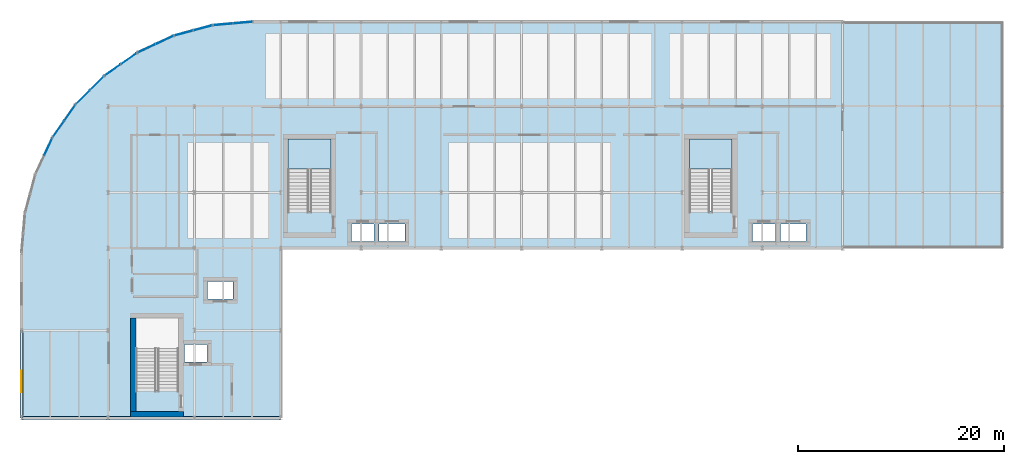
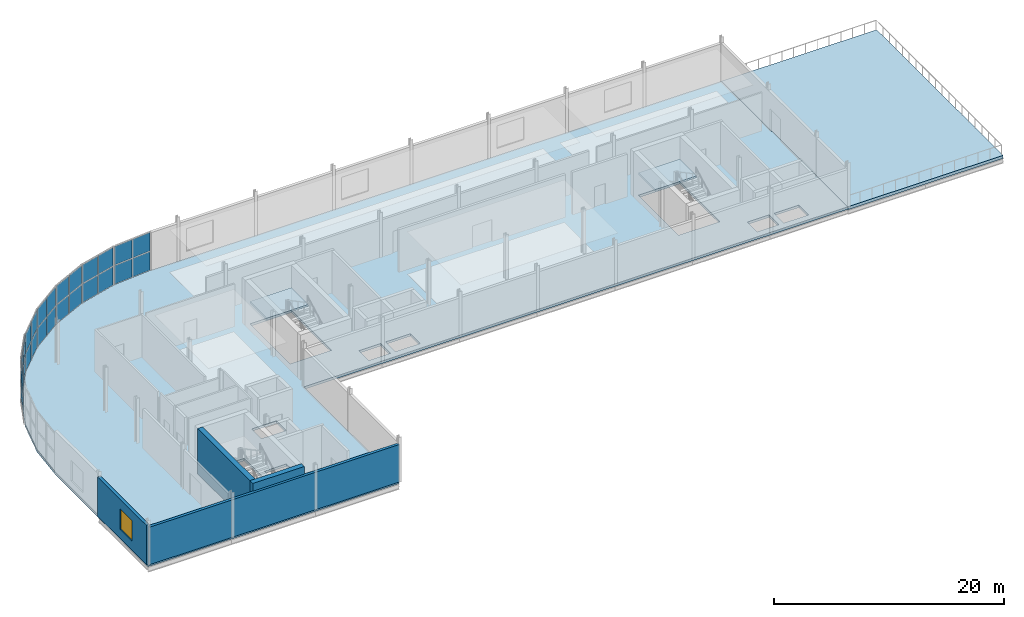
# One storey, part 9 of 15: 26 plates, 4 slabs, 4 walls, 1 window, 1 opening, 9 elements without a shape of their own.
"""IFC4 building model written with IfcOpenShell, lengths in metres."""

from ifc_helpers import new_model, si_unit, direction, frame, frame_2d, origin, origin_2d, place, context, subcontext, project, spatial, polyline, rectangle, outline, extrude, material, layer, layer_set, type_object, element, fill, aggregate, save


model = new_model("IFC4")

# Units and contexts
model_context = context("Model", 3, precision=1e-05, world=origin(), true_north=direction((0.0, 1.0)))
body_context = subcontext(model_context, "Body", "Model", "MODEL_VIEW")
ifc_project = project(units=[si_unit("LENGTHUNIT", "METRE"), si_unit("AREAUNIT", "SQUARE_METRE"), si_unit("VOLUMEUNIT", "CUBIC_METRE"), si_unit("PLANEANGLEUNIT", "RADIAN"), si_unit("MASSUNIT", "GRAM", prefix="KILO")], contexts=[model_context])

# Site, building, storey
site_placement = place(None, origin())
site = spatial("IfcSite", under=ifc_project, at=site_placement, CompositionType="ELEMENT")
building_placement = place(site_placement, origin())
building = spatial("IfcBuilding", under=site, at=building_placement, Name="Sefraquen Railside Congress Hotel", CompositionType="ELEMENT")
storey_placement = place(building_placement, frame((0.0, 0.0, 46.800048828125)))
storey = spatial("IfcBuildingStorey", under=building, at=storey_placement, Name="L11", CompositionType="ELEMENT", Elevation=46.800048828125)

# Curtain wall, plates
ifc_material_1 = material(Name="Thermally broken anodised aluminium and low-E double glazing", Category="aluminium")
ifc_layer_1 = layer(ifc_material_1, 0.199951171875)
ifc_layer_set_1 = layer_set([ifc_layer_1], Name="Thermally broken anodised aluminium and low-E double glazing")
curtain_wall_type_1 = type_object("IfcCurtainWallType", Name="TCW-UCW-04", PredefinedType="USERDEFINED", material=ifc_layer_set_1)
curtain_wall_1_placement = place(storey_placement, origin())
curtain_wall_1 = element("IfcCurtainWall", 1, at=curtain_wall_1_placement, inside=storey, type_object=curtain_wall_type_1, Name="Rotunda L11 curved curtain wall facet 1", ObjectType="UNITISED CURTAIN WALL", PredefinedType="USERDEFINED")
ifc_material_2 = material(Name="Solar-control low-E double glazing", Category="glass")
ifc_layer_2 = layer(ifc_material_2, 0.02392578125)
ifc_layer_set_2 = layer_set([ifc_layer_2], Name="Solar-control low-E double glazing")
plate_type_1 = type_object("IfcPlateType", Name="TP-CWP-01", PredefinedType="CURTAIN_PANEL", material=ifc_layer_set_2)
plate_1_placement = place(storey_placement, frame((21.50341796875, 117.912841796875, 0.0400390625), z_axis=(0.0, 0.0, 1.0), x_axis=(-0.996196219095, -0.087138355857, 0.0)))
plate_1 = element("IfcPlate", 2, at=plate_1_placement, type_object=plate_type_1, Name="CW-L11-ROT-01 panel 1.1", PredefinedType="CURTAIN_PANEL", context=body_context, shape_type="SweptSolid", body=[
    extrude(rectangle(XDim=1.8310546875, YDim=0.02392578125, at=origin_2d()), origin(), (0.0, 0.0, 1.0), 1.965087890625),
])
plate_2_placement = place(storey_placement, frame((19.589599609375, 117.745361328125, 0.0400390625), z_axis=(0.0, 0.0, 1.0), x_axis=(-0.996196219095, -0.087138355857, 0.0)))
plate_2 = element("IfcPlate", 3, at=plate_2_placement, type_object=plate_type_1, Name="CW-L11-ROT-01 panel 1.2", PredefinedType="CURTAIN_PANEL", context=body_context, shape_type="SweptSolid", body=[
    extrude(rectangle(XDim=1.8310546875, YDim=0.02392578125, at=origin_2d()), origin(), (0.0, 0.0, 1.0), 1.965087890625),
])

ifc_layer_3 = layer(ifc_material_1, 0.199951171875)
ifc_layer_set_3 = layer_set([ifc_layer_3], Name="Thermally broken anodised aluminium and low-E double glazing")
curtain_wall_type_2 = type_object("IfcCurtainWallType", Name="TCW-UCW-05", PredefinedType="USERDEFINED", material=ifc_layer_set_3)
curtain_wall_2_placement = place(storey_placement, origin())
curtain_wall_2 = element("IfcCurtainWall", 4, at=curtain_wall_2_placement, inside=storey, type_object=curtain_wall_type_2, Name="Rotunda L11 curved curtain wall facet 2", ObjectType="UNITISED CURTAIN WALL", PredefinedType="USERDEFINED")
plate_3_placement = place(storey_placement, frame((17.62646484375, 117.399169921875, 0.0400390625), z_axis=(0.0, 0.0, 1.0), x_axis=(-0.96593486019, -0.258785327773, 0.0)))
plate_3 = element("IfcPlate", 5, at=plate_3_placement, type_object=plate_type_1, Name="CW-L11-ROT-02 panel 1.1", PredefinedType="CURTAIN_PANEL", context=body_context, shape_type="SweptSolid", body=[
    extrude(rectangle(XDim=1.8310546875, YDim=0.02392578125, at=origin_2d()), origin(), (0.0, 0.0, 1.0), 1.965087890625),
])
plate_4_placement = place(storey_placement, frame((15.77099609375, 116.902099609375, 0.0400390625), z_axis=(0.0, 0.0, 1.0), x_axis=(-0.96593486019, -0.258785327773, 0.0)))
plate_4 = element("IfcPlate", 6, at=plate_4_placement, type_object=plate_type_1, Name="CW-L11-ROT-02 panel 1.2", PredefinedType="CURTAIN_PANEL", context=body_context, shape_type="SweptSolid", body=[
    extrude(rectangle(XDim=1.8310546875, YDim=0.02392578125, at=origin_2d()), origin(), (0.0, 0.0, 1.0), 1.965087890625),
])

ifc_layer_4 = layer(ifc_material_1, 0.199951171875)
ifc_layer_set_4 = layer_set([ifc_layer_4], Name="Thermally broken anodised aluminium and low-E double glazing")
curtain_wall_type_3 = type_object("IfcCurtainWallType", Name="TCW-UCW-06", PredefinedType="USERDEFINED", material=ifc_layer_set_4)
curtain_wall_3_placement = place(storey_placement, origin())
curtain_wall_3 = element("IfcCurtainWall", 7, at=curtain_wall_3_placement, inside=storey, type_object=curtain_wall_type_3, Name="Rotunda L11 curved curtain wall facet 3", ObjectType="UNITISED CURTAIN WALL", PredefinedType="USERDEFINED")
plate_5_placement = place(storey_placement, frame((13.897705078125, 116.22021484375, 0.0400390625), z_axis=(0.0, 0.0, 1.0), x_axis=(-0.906300410818, -0.422634079731, 0.0)))
plate_5 = element("IfcPlate", 8, at=plate_5_placement, type_object=plate_type_1, Name="CW-L11-ROT-03 panel 1.1", PredefinedType="CURTAIN_PANEL", context=body_context, shape_type="SweptSolid", body=[
    extrude(rectangle(XDim=1.830810546875, YDim=0.02392578125, at=origin_2d()), origin(), (0.0, 0.0, 1.0), 1.965087890625),
])
plate_6_placement = place(storey_placement, frame((12.15673828125, 115.408447265625, 0.0400390625), z_axis=(0.0, 0.0, 1.0), x_axis=(-0.906300410818, -0.422634079731, 0.0)))
plate_6 = element("IfcPlate", 9, at=plate_6_placement, type_object=plate_type_1, Name="CW-L11-ROT-03 panel 1.2", PredefinedType="CURTAIN_PANEL", context=body_context, shape_type="SweptSolid", body=[
    extrude(rectangle(XDim=1.830810546875, YDim=0.02392578125, at=origin_2d()), origin(), (0.0, 0.0, 1.0), 1.965087890625),
])

ifc_layer_5 = layer(ifc_material_1, 0.199951171875)
ifc_layer_set_5 = layer_set([ifc_layer_5], Name="Thermally broken anodised aluminium and low-E double glazing")
curtain_wall_type_4 = type_object("IfcCurtainWallType", Name="TCW-UCW-07", PredefinedType="USERDEFINED", material=ifc_layer_set_5)
curtain_wall_4_placement = place(storey_placement, origin())
curtain_wall_4 = element("IfcCurtainWall", 10, at=curtain_wall_4_placement, inside=storey, type_object=curtain_wall_type_4, Name="Rotunda L11 curved curtain wall facet 4", ObjectType="UNITISED CURTAIN WALL", PredefinedType="USERDEFINED")
plate_7_placement = place(storey_placement, frame((10.430419921875, 114.411865234375, 0.0400390625), z_axis=(0.0, 0.0, 1.0), x_axis=(-0.819132022195, -0.573605029802, 0.0)))
plate_7 = element("IfcPlate", 11, at=plate_7_placement, type_object=plate_type_1, Name="CW-L11-ROT-04 panel 1.1", PredefinedType="CURTAIN_PANEL", context=body_context, shape_type="SweptSolid", body=[
    extrude(rectangle(XDim=1.8310546875, YDim=0.02392578125, at=origin_2d()), origin(), (0.0, 0.0, 1.0), 1.965087890625),
])
plate_8_placement = place(storey_placement, frame((8.856689453125, 113.309814453125, 0.0400390625), z_axis=(0.0, 0.0, 1.0), x_axis=(-0.819132022195, -0.573605029802, 0.0)))
plate_8 = element("IfcPlate", 12, at=plate_8_placement, type_object=plate_type_1, Name="CW-L11-ROT-04 panel 1.2", PredefinedType="CURTAIN_PANEL", context=body_context, shape_type="SweptSolid", body=[
    extrude(rectangle(XDim=1.8310546875, YDim=0.02392578125, at=origin_2d()), origin(), (0.0, 0.0, 1.0), 1.965087890625),
])

ifc_layer_6 = layer(ifc_material_1, 0.199951171875)
ifc_layer_set_6 = layer_set([ifc_layer_6], Name="Thermally broken anodised aluminium and low-E double glazing")
curtain_wall_type_5 = type_object("IfcCurtainWallType", Name="TCW-UCW-08", PredefinedType="USERDEFINED", material=ifc_layer_set_6)
curtain_wall_5_placement = place(storey_placement, origin())
curtain_wall_5 = element("IfcCurtainWall", 13, at=curtain_wall_5_placement, inside=storey, type_object=curtain_wall_type_5, Name="Rotunda L11 curved curtain wall facet 5", ObjectType="UNITISED CURTAIN WALL", PredefinedType="USERDEFINED")
plate_9_placement = place(storey_placement, frame((7.329833984375, 112.028564453125, 0.0400390625), z_axis=(0.0, 0.0, 1.0), x_axis=(-0.707106781187, -0.707106781187, 0.0)))
plate_9 = element("IfcPlate", 14, at=plate_9_placement, type_object=plate_type_1, Name="CW-L11-ROT-05 panel 1.1", PredefinedType="CURTAIN_PANEL", context=body_context, shape_type="SweptSolid", body=[
    extrude(rectangle(XDim=1.8310546875, YDim=0.02392578125, at=origin_2d()), origin(), (0.0, 0.0, 1.0), 1.965087890625),
])
plate_10_placement = place(storey_placement, frame((5.971435546875, 110.670166015625, 0.0400390625), z_axis=(0.0, 0.0, 1.0), x_axis=(-0.707106781187, -0.707106781187, 0.0)))
plate_10 = element("IfcPlate", 15, at=plate_10_placement, type_object=plate_type_1, Name="CW-L11-ROT-05 panel 1.2", PredefinedType="CURTAIN_PANEL", context=body_context, shape_type="SweptSolid", body=[
    extrude(rectangle(XDim=1.8310546875, YDim=0.02392578125, at=origin_2d()), origin(), (0.0, 0.0, 1.0), 1.965087890625),
])

ifc_layer_7 = layer(ifc_material_1, 0.199951171875)
ifc_layer_set_7 = layer_set([ifc_layer_7], Name="Thermally broken anodised aluminium and low-E double glazing")
curtain_wall_type_6 = type_object("IfcCurtainWallType", Name="TCW-UCW-09", PredefinedType="USERDEFINED", material=ifc_layer_set_7)
curtain_wall_6_placement = place(storey_placement, origin())
curtain_wall_6 = element("IfcCurtainWall", 16, at=curtain_wall_6_placement, inside=storey, type_object=curtain_wall_type_6, Name="Rotunda L11 curved curtain wall facet 6", ObjectType="UNITISED CURTAIN WALL", PredefinedType="USERDEFINED")
plate_11_placement = place(storey_placement, frame((4.690185546875, 109.14306640625, 0.0400390625), z_axis=(0.0, 0.0, 1.0), x_axis=(-0.573605029802, -0.819132022195, 0.0)))
plate_11 = element("IfcPlate", 17, at=plate_11_placement, type_object=plate_type_1, Name="CW-L11-ROT-06 panel 1.1", PredefinedType="CURTAIN_PANEL", context=body_context, shape_type="SweptSolid", body=[
    extrude(rectangle(XDim=1.8310546875, YDim=0.02392578125, at=origin_2d()), origin(), (0.0, 0.0, 1.0), 1.965087890625),
])
plate_12_placement = place(storey_placement, frame((3.58837890625, 107.569580078125, 0.0400390625), z_axis=(0.0, 0.0, 1.0), x_axis=(-0.573605029802, -0.819132022195, 0.0)))
plate_12 = element("IfcPlate", 18, at=plate_12_placement, type_object=plate_type_1, Name="CW-L11-ROT-06 panel 1.2", PredefinedType="CURTAIN_PANEL", context=body_context, shape_type="SweptSolid", body=[
    extrude(rectangle(XDim=1.8310546875, YDim=0.02392578125, at=origin_2d()), origin(), (0.0, 0.0, 1.0), 1.965087890625),
])

# Curtain wall, plate
ifc_layer_8 = layer(ifc_material_1, 0.199951171875)
ifc_layer_set_8 = layer_set([ifc_layer_8], Name="Thermally broken anodised aluminium and low-E double glazing")
curtain_wall_type_7 = type_object("IfcCurtainWallType", Name="TCW-UCW-10", PredefinedType="USERDEFINED", material=ifc_layer_set_8)
curtain_wall_7_placement = place(storey_placement, origin())
curtain_wall_7 = element("IfcCurtainWall", 19, at=curtain_wall_7_placement, inside=storey, type_object=curtain_wall_type_7, Name="Rotunda L11 curved curtain wall facet 7", ObjectType="UNITISED CURTAIN WALL", PredefinedType="USERDEFINED")
plate_13_placement = place(storey_placement, frame((2.591552734375, 105.84326171875, 0.0400390625), z_axis=(0.0, 0.0, 1.0), x_axis=(-0.422634079731, -0.906300410818, 0.0)))
plate_13 = element("IfcPlate", 20, at=plate_13_placement, type_object=plate_type_1, Name="CW-L11-ROT-07 panel 1.1", PredefinedType="CURTAIN_PANEL", context=body_context, shape_type="SweptSolid", body=[
    extrude(rectangle(XDim=1.830810546875, YDim=0.02392578125, at=origin_2d()), origin(), (0.0, 0.0, 1.0), 1.965087890625),
])

# Plate
ifc_material_3 = material(Name="Triple acoustic solar-control glazing", Category="glass")
ifc_layer_9 = layer(ifc_material_3, 0.031982421875)
ifc_layer_set_9 = layer_set([ifc_layer_9], Name="Triple acoustic solar-control glazing")
plate_type_2 = type_object("IfcPlateType", Name="TP-CWP-02", PredefinedType="CURTAIN_PANEL", material=ifc_layer_set_9)
plate_14_placement = place(storey_placement, frame((21.50341796875, 117.912841796875, 2.0849609375), z_axis=(0.0, 0.0, 1.0), x_axis=(-0.996196219095, -0.087138355857, 0.0)))
plate_14 = element("IfcPlate", 21, at=plate_14_placement, type_object=plate_type_2, Name="CW-L11-ROT-01 panel 2.1", PredefinedType="CURTAIN_PANEL", context=body_context, shape_type="SweptSolid", body=[
    extrude(rectangle(XDim=1.8310546875, YDim=0.031982421875, at=origin_2d()), origin(), (0.0, 0.0, 1.0), 1.965087890625),
])

plate_15_placement = place(storey_placement, frame((19.589599609375, 117.745361328125, 2.0849609375), z_axis=(0.0, 0.0, 1.0), x_axis=(-0.996196219095, -0.087138355857, 0.0)))
plate_15 = element("IfcPlate", 22, at=plate_15_placement, type_object=plate_type_2, Name="CW-L11-ROT-01 panel 2.2", PredefinedType="CURTAIN_PANEL", context=body_context, shape_type="SweptSolid", body=[
    extrude(rectangle(XDim=1.8310546875, YDim=0.031982421875, at=origin_2d()), origin(), (0.0, 0.0, 1.0), 1.965087890625),
])

aggregate(curtain_wall_1, [plate_1, plate_2, plate_14, plate_15])

plate_16_placement = place(storey_placement, frame((17.62646484375, 117.399169921875, 2.0849609375), z_axis=(0.0, 0.0, 1.0), x_axis=(-0.96593486019, -0.258785327773, 0.0)))
plate_16 = element("IfcPlate", 23, at=plate_16_placement, type_object=plate_type_2, Name="CW-L11-ROT-02 panel 2.1", PredefinedType="CURTAIN_PANEL", context=body_context, shape_type="SweptSolid", body=[
    extrude(rectangle(XDim=1.8310546875, YDim=0.031982421875, at=origin_2d()), origin(), (0.0, 0.0, 1.0), 1.965087890625),
])

plate_17_placement = place(storey_placement, frame((15.77099609375, 116.902099609375, 2.0849609375), z_axis=(0.0, 0.0, 1.0), x_axis=(-0.96593486019, -0.258785327773, 0.0)))
plate_17 = element("IfcPlate", 24, at=plate_17_placement, type_object=plate_type_2, Name="CW-L11-ROT-02 panel 2.2", PredefinedType="CURTAIN_PANEL", context=body_context, shape_type="SweptSolid", body=[
    extrude(rectangle(XDim=1.8310546875, YDim=0.031982421875, at=origin_2d()), origin(), (0.0, 0.0, 1.0), 1.965087890625),
])

aggregate(curtain_wall_2, [plate_3, plate_4, plate_16, plate_17])

plate_18_placement = place(storey_placement, frame((13.897705078125, 116.22021484375, 2.0849609375), z_axis=(0.0, 0.0, 1.0), x_axis=(-0.906300410818, -0.422634079731, 0.0)))
plate_18 = element("IfcPlate", 25, at=plate_18_placement, type_object=plate_type_2, Name="CW-L11-ROT-03 panel 2.1", PredefinedType="CURTAIN_PANEL", context=body_context, shape_type="SweptSolid", body=[
    extrude(rectangle(XDim=1.830810546875, YDim=0.031982421875, at=origin_2d()), origin(), (0.0, 0.0, 1.0), 1.965087890625),
])

plate_19_placement = place(storey_placement, frame((12.15673828125, 115.408447265625, 2.0849609375), z_axis=(0.0, 0.0, 1.0), x_axis=(-0.906300410818, -0.422634079731, 0.0)))
plate_19 = element("IfcPlate", 26, at=plate_19_placement, type_object=plate_type_2, Name="CW-L11-ROT-03 panel 2.2", PredefinedType="CURTAIN_PANEL", context=body_context, shape_type="SweptSolid", body=[
    extrude(rectangle(XDim=1.830810546875, YDim=0.031982421875, at=origin_2d()), origin(), (0.0, 0.0, 1.0), 1.965087890625),
])

aggregate(curtain_wall_3, [plate_5, plate_6, plate_18, plate_19])

plate_20_placement = place(storey_placement, frame((10.430419921875, 114.411865234375, 2.0849609375), z_axis=(0.0, 0.0, 1.0), x_axis=(-0.819132022195, -0.573605029802, 0.0)))
plate_20 = element("IfcPlate", 27, at=plate_20_placement, type_object=plate_type_2, Name="CW-L11-ROT-04 panel 2.1", PredefinedType="CURTAIN_PANEL", context=body_context, shape_type="SweptSolid", body=[
    extrude(rectangle(XDim=1.8310546875, YDim=0.031982421875, at=origin_2d()), origin(), (0.0, 0.0, 1.0), 1.965087890625),
])

plate_21_placement = place(storey_placement, frame((8.856689453125, 113.309814453125, 2.0849609375), z_axis=(0.0, 0.0, 1.0), x_axis=(-0.819132022195, -0.573605029802, 0.0)))
plate_21 = element("IfcPlate", 28, at=plate_21_placement, type_object=plate_type_2, Name="CW-L11-ROT-04 panel 2.2", PredefinedType="CURTAIN_PANEL", context=body_context, shape_type="SweptSolid", body=[
    extrude(rectangle(XDim=1.8310546875, YDim=0.031982421875, at=origin_2d()), origin(), (0.0, 0.0, 1.0), 1.965087890625),
])

aggregate(curtain_wall_4, [plate_7, plate_8, plate_20, plate_21])

plate_22_placement = place(storey_placement, frame((7.329833984375, 112.028564453125, 2.0849609375), z_axis=(0.0, 0.0, 1.0), x_axis=(-0.707106781187, -0.707106781187, 0.0)))
plate_22 = element("IfcPlate", 29, at=plate_22_placement, type_object=plate_type_2, Name="CW-L11-ROT-05 panel 2.1", PredefinedType="CURTAIN_PANEL", context=body_context, shape_type="SweptSolid", body=[
    extrude(rectangle(XDim=1.8310546875, YDim=0.031982421875, at=origin_2d()), origin(), (0.0, 0.0, 1.0), 1.965087890625),
])

plate_23_placement = place(storey_placement, frame((5.971435546875, 110.670166015625, 2.0849609375), z_axis=(0.0, 0.0, 1.0), x_axis=(-0.707106781187, -0.707106781187, 0.0)))
plate_23 = element("IfcPlate", 30, at=plate_23_placement, type_object=plate_type_2, Name="CW-L11-ROT-05 panel 2.2", PredefinedType="CURTAIN_PANEL", context=body_context, shape_type="SweptSolid", body=[
    extrude(rectangle(XDim=1.8310546875, YDim=0.031982421875, at=origin_2d()), origin(), (0.0, 0.0, 1.0), 1.965087890625),
])

aggregate(curtain_wall_5, [plate_9, plate_10, plate_22, plate_23])

plate_24_placement = place(storey_placement, frame((4.690185546875, 109.14306640625, 2.0849609375), z_axis=(0.0, 0.0, 1.0), x_axis=(-0.573605029802, -0.819132022195, 0.0)))
plate_24 = element("IfcPlate", 31, at=plate_24_placement, type_object=plate_type_2, Name="CW-L11-ROT-06 panel 2.1", PredefinedType="CURTAIN_PANEL", context=body_context, shape_type="SweptSolid", body=[
    extrude(rectangle(XDim=1.8310546875, YDim=0.031982421875, at=origin_2d()), origin(), (0.0, 0.0, 1.0), 1.965087890625),
])

plate_25_placement = place(storey_placement, frame((3.58837890625, 107.569580078125, 2.0849609375), z_axis=(0.0, 0.0, 1.0), x_axis=(-0.573605029802, -0.819132022195, 0.0)))
plate_25 = element("IfcPlate", 32, at=plate_25_placement, type_object=plate_type_2, Name="CW-L11-ROT-06 panel 2.2", PredefinedType="CURTAIN_PANEL", context=body_context, shape_type="SweptSolid", body=[
    extrude(rectangle(XDim=1.8310546875, YDim=0.031982421875, at=origin_2d()), origin(), (0.0, 0.0, 1.0), 1.965087890625),
])

aggregate(curtain_wall_6, [plate_11, plate_12, plate_24, plate_25])

plate_26_placement = place(storey_placement, frame((2.591552734375, 105.84326171875, 2.0849609375), z_axis=(0.0, 0.0, 1.0), x_axis=(-0.422634079731, -0.906300410818, 0.0)))
plate_26 = element("IfcPlate", 33, at=plate_26_placement, type_object=plate_type_2, Name="CW-L11-ROT-07 panel 2.1", PredefinedType="CURTAIN_PANEL", context=body_context, shape_type="SweptSolid", body=[
    extrude(rectangle(XDim=1.830810546875, YDim=0.031982421875, at=origin_2d()), origin(), (0.0, 0.0, 1.0), 1.965087890625),
])

aggregate(curtain_wall_7, [plate_13, plate_26])

# Slab
ifc_material_4 = material(Name="Concrete C40/50", Category="concrete")
ifc_layer_10 = layer(ifc_material_4, 0.260009765625)
ifc_layer_set_10 = layer_set([ifc_layer_10], Name="Concrete C40/50")
slab_type_1 = type_object("IfcSlabType", Name="TS-FS-260", PredefinedType="FLOOR", material=ifc_layer_set_10)
slab_1_placement = place(storey_placement, frame((0.0, 0.0, -0.260009765625)))
element("IfcSlab", 34, at=slab_1_placement, inside=storey, type_object=slab_type_1, Name="Hotel Wing L11 floor slab", PredefinedType="FLOOR", context=body_context, shape_type="SweptSolid", body=[
    extrude(outline(polyline([(0.0, 79.5), (25.199951171875, 79.5), (25.199951171875, 96.0), (79.800048828125, 96.0), (79.800048828125, 118.0), (22.5, 118.0), (18.593017578125, 117.658203125), (14.804443359375, 116.64306640625), (11.25, 114.985595703125), (8.037353515625, 112.736083984375), (5.263916015625, 109.962646484375), (3.014404296875, 106.75), (1.35693359375, 103.195556640625), (0.341796875, 99.406982421875), (0.0, 95.5), (0.0, 79.5)]), holes=[polyline([(11.10009765625, 82.219970703125), (15.260009765625, 82.219970703125), (15.260009765625, 89.2119140625), (11.10009765625, 89.2119140625), (11.10009765625, 82.219970703125)]), polyline([(25.89990234375, 99.6201171875), (30.06005859375, 99.6201171875), (30.06005859375, 106.612060546875), (25.89990234375, 106.612060546875), (25.89990234375, 99.6201171875)]), polyline([(64.89990234375, 99.6201171875), (69.06005859375, 99.6201171875), (69.06005859375, 106.612060546875), (64.89990234375, 106.612060546875), (64.89990234375, 99.6201171875)]), polyline([(15.830078125, 84.949951171875), (18.030029296875, 84.949951171875), (18.030029296875, 86.64990234375), (15.830078125, 86.64990234375), (15.830078125, 84.949951171875)]), polyline([(32.06005859375, 96.64990234375), (34.260009765625, 96.64990234375), (34.260009765625, 98.35009765625), (32.06005859375, 98.35009765625), (32.06005859375, 96.64990234375)]), polyline([(71.06005859375, 96.64990234375), (73.260009765625, 96.64990234375), (73.260009765625, 98.35009765625), (71.06005859375, 98.35009765625), (71.06005859375, 96.64990234375)]), polyline([(18.050048828125, 91.050048828125), (20.550048828125, 91.050048828125), (20.550048828125, 92.75), (18.050048828125, 92.75), (18.050048828125, 91.050048828125)]), polyline([(34.75, 96.64990234375), (37.25, 96.64990234375), (37.25, 98.35009765625), (34.75, 98.35009765625), (34.75, 96.64990234375)]), polyline([(73.75, 96.64990234375), (76.25, 96.64990234375), (76.25, 98.35009765625), (73.75, 98.35009765625), (73.75, 96.64990234375)])]), origin(), (0.0, 0.0, 1.0), 0.260009765625),
])

# Stair, slab
stair_type_1 = type_object("IfcStairType", Name="TST-DOG-198-420", PredefinedType="HALF_TURN_STAIR", material=ifc_material_4)
stair_1_placement = place(storey_placement, origin())
stair_1 = element("IfcStair", 35, at=stair_1_placement, inside=storey, type_object=stair_type_1, Name="L11 Pressurized escape stair ST-H02", PredefinedType="HALF_TURN_STAIR")
ifc_layer_11 = layer(ifc_material_4, 0.199951171875)
ifc_layer_set_11 = layer_set([ifc_layer_11], Name="Concrete C40/50")
slab_type_2 = type_object("IfcSlabType", Name="TS-LD-200", PredefinedType="LANDING", material=ifc_layer_set_11)
slab_2_placement = place(storey_placement, frame((0.0, 0.0, 2.199951171875)))
slab_2 = element("IfcSlab", 36, at=slab_2_placement, type_object=slab_type_2, Name="ST-H02 landing 1", PredefinedType="LANDING", context=body_context, shape_type="SweptSolid", body=[
    extrude(outline(polyline([(30.06005859375, 103.666015625), (30.06005859375, 106.612060546875), (25.89990234375, 106.612060546875), (25.89990234375, 103.666015625), (30.06005859375, 103.666015625)])), origin(), (0.0, 0.0, 1.0), 0.199951171875),
])
aggregate(stair_1, [slab_2])

stair_type_2 = type_object("IfcStairType", Name="TST-DOG-198-450", PredefinedType="HALF_TURN_STAIR", material=ifc_material_4)
stair_2_placement = place(storey_placement, origin())
stair_2 = element("IfcStair", 37, at=stair_2_placement, inside=storey, type_object=stair_type_2, Name="L11 Pressurized escape stair ST-H03", PredefinedType="HALF_TURN_STAIR")
slab_3_placement = place(storey_placement, frame((0.0, 0.0, 2.199951171875)))
slab_3 = element("IfcSlab", 38, at=slab_3_placement, type_object=slab_type_2, Name="ST-H03 landing 1", PredefinedType="LANDING", context=body_context, shape_type="SweptSolid", body=[
    extrude(outline(polyline([(69.06005859375, 103.666015625), (69.06005859375, 106.612060546875), (64.89990234375, 106.612060546875), (64.89990234375, 103.666015625), (69.06005859375, 103.666015625)])), origin(), (0.0, 0.0, 1.0), 0.199951171875),
])
aggregate(stair_2, [slab_3])

# Slab
ifc_layer_12 = layer(ifc_material_4, 0.320068359375)
ifc_layer_set_12 = layer_set([ifc_layer_12], Name="Concrete C40/50")
slab_type_3 = type_object("IfcSlabType", Name="TS-TR-320", PredefinedType="FLOOR", material=ifc_layer_set_12)
slab_4_placement = place(storey_placement, frame((0.0, 0.0, -0.320068359375)))
element("IfcSlab", 39, at=slab_4_placement, inside=storey, type_object=slab_type_3, Name="Hotel Observatory Sky Terrace L11 outdoor slab", PredefinedType="FLOOR", context=body_context, shape_type="SweptSolid", body=[
    extrude(outline(polyline([(79.800048828125, 96.0), (95.39990234375, 96.0), (95.39990234375, 118.0), (79.800048828125, 118.0), (79.800048828125, 96.0)])), origin(), (0.0, 0.0, 1.0), 0.320068359375),
])

# Walls
ifc_material_5 = material(Name="Concrete C50/60", Category="concrete")
ifc_layer_13 = layer(ifc_material_5, 0.5)
ifc_layer_set_13 = layer_set([ifc_layer_13], Name="Concrete C50/60")
wall_type_1 = type_object("IfcWallType", Name="TW-CW-500", PredefinedType="SHEAR", material=ifc_layer_set_13)
wall_1_placement = place(storey_placement, frame((10.60009765625, 79.85009765625, 0.0), z_axis=(0.0, 0.0, 1.0), x_axis=(1.0, 0.0, 0.0)))
element("IfcWall", 40, at=wall_1_placement, inside=storey, type_object=wall_type_1, Name="Core shear wall ST-H01 S L11", PredefinedType="SHEAR", context=body_context, shape_type="SweptSolid", body=[
    extrude(rectangle(XDim=5.159912109375, YDim=0.5, at=frame_2d((2.580078125, 0.0))), origin(), (0.0, 0.0, 1.0), 4.800048828125),
])
wall_2_placement = place(storey_placement, frame((10.85009765625, 80.10009765625, 0.0), z_axis=(0.0, 0.0, 1.0), x_axis=(0.0, 1.0, 0.0)))
element("IfcWall", 41, at=wall_2_placement, inside=storey, type_object=wall_type_1, Name="Core shear wall ST-H01 W L11", PredefinedType="SHEAR", context=body_context, shape_type="SweptSolid", body=[
    extrude(rectangle(XDim=9.11181640625, YDim=0.5, at=frame_2d((4.555908203125, 0.0))), origin(), (0.0, 0.0, 1.0), 4.800048828125),
])
ifc_material_6 = material(Name="Ochre Rabat calcarenite limestone and Concrete C40/50 backing", Category="masonry")
ifc_layer_14 = layer(ifc_material_6, 0.280029296875)
ifc_layer_set_14 = layer_set([ifc_layer_14], Name="Ochre Rabat calcarenite limestone and Concrete C40/50 backing")
wall_type_2 = type_object("IfcWallType", Name="TW-EW-280", PredefinedType="STANDARD", material=ifc_layer_set_14)
wall_3_placement = place(storey_placement, frame((0.0, 79.5, 0.0), z_axis=(0.0, 0.0, 1.0), x_axis=(1.0, 0.0, 0.0)))
element("IfcWall", 42, at=wall_3_placement, inside=storey, type_object=wall_type_2, Name="Hotel L11 south-west return wall", PredefinedType="STANDARD", context=body_context, shape_type="SweptSolid", body=[
    extrude(rectangle(XDim=25.199951171875, YDim=0.280029296875, at=frame_2d((12.60009765625, 0.0))), origin(), (0.0, 0.0, 1.0), 3.97998046875),
])

# Wall, opening, window
ifc_layer_15 = layer(ifc_material_6, 0.300048828125)
ifc_layer_set_15 = layer_set([ifc_layer_15], Name="Ochre Rabat calcarenite limestone and Concrete C40/50 backing")
wall_type_3 = type_object("IfcWallType", Name="TW-EW-300", PredefinedType="STANDARD", material=ifc_layer_set_15)
wall_4_placement = place(storey_placement, frame((0.0, 79.5, 0.0), z_axis=(0.0, 0.0, 1.0), x_axis=(0.0, 1.0, 0.0)))
wall_4 = element("IfcWall", 43, at=wall_4_placement, inside=storey, type_object=wall_type_3, Name="Hotel L11 West Forecourt facade wall", PredefinedType="STANDARD", context=body_context, shape_type="SweptSolid", body=[
    extrude(rectangle(XDim=8.5, YDim=0.300048828125, at=frame_2d((4.25, 0.0))), origin(), (0.0, 0.0, 1.0), 4.169921875),
])
opening_placement = place(wall_4_placement, frame((2.5, 0.0, 0.949951171875)))
opening = element("IfcOpeningElement", 44, at=opening_placement, cuts=wall_4, Name="Opening WN-07", PredefinedType="OPENING", context=body_context, shape_type="SweptSolid", body=[
    extrude(rectangle(XDim=2.10009765625, YDim=2.199951171875, at=frame_2d((1.050048828125, 1.10009765625))), frame((0.0, 0.159912109375, 0.0), z_axis=(0.0, -1.0, 0.0), x_axis=(1.0, 0.0, 0.0)), (0.0, 0.0, 1.0), 0.320068359375),
])
ifc_material_7 = material(Name="Solar-control low-E double glazing in bronze-anodised frame", Category="glass")
window_type = type_object("IfcWindowType", Name="TWN-W-07", PartitioningType="DOUBLE_PANEL_VERTICAL", PredefinedType="WINDOW", material=ifc_material_7)
window_placement = place(opening_placement, origin())
window = element("IfcWindow", 45, at=window_placement, inside=storey, type_object=window_type, Name="Hotel L11 west window", OverallHeight=2.199951171875, OverallWidth=2.10009765625, PartitioningType="DOUBLE_PANEL_VERTICAL", PredefinedType="WINDOW", context=body_context, shape_type="SweptSolid", body=[
    extrude(rectangle(XDim=2.10009765625, YDim=2.199951171875, at=frame_2d((1.050048828125, 1.10009765625))), frame((0.0, 0.030029296875, 0.0), z_axis=(0.0, -1.0, 0.0), x_axis=(1.0, 0.0, 0.0)), (0.0, 0.0, 1.0), 0.06005859375),
])
fill(opening, window)

save(model, "model.ifc")
